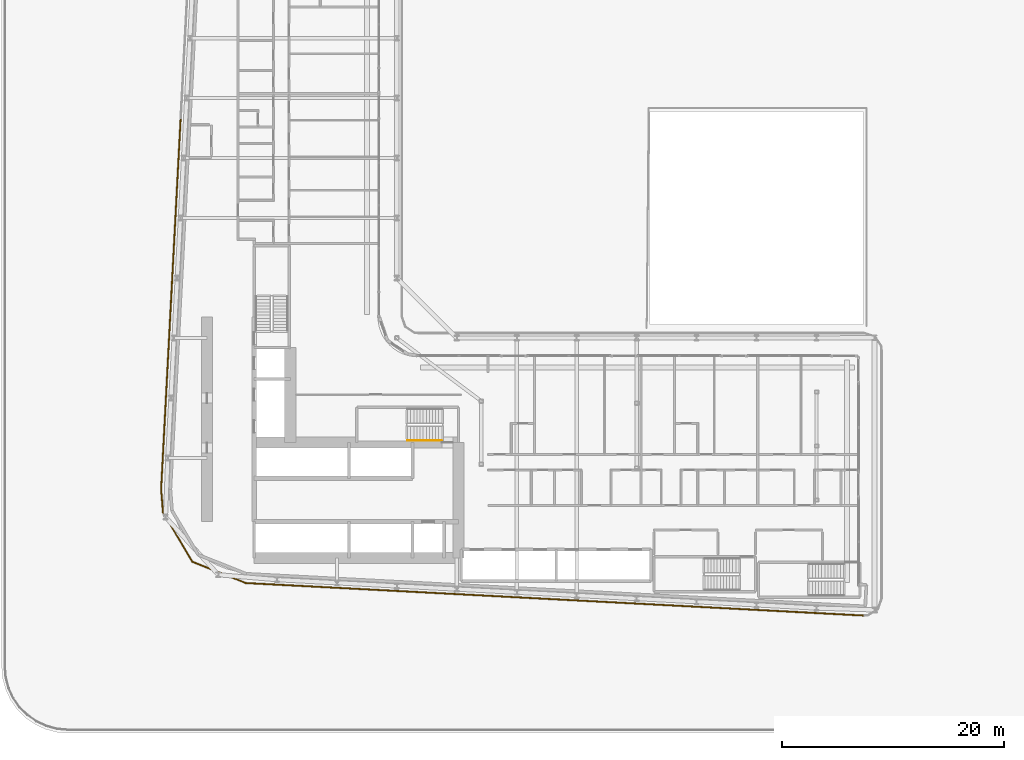
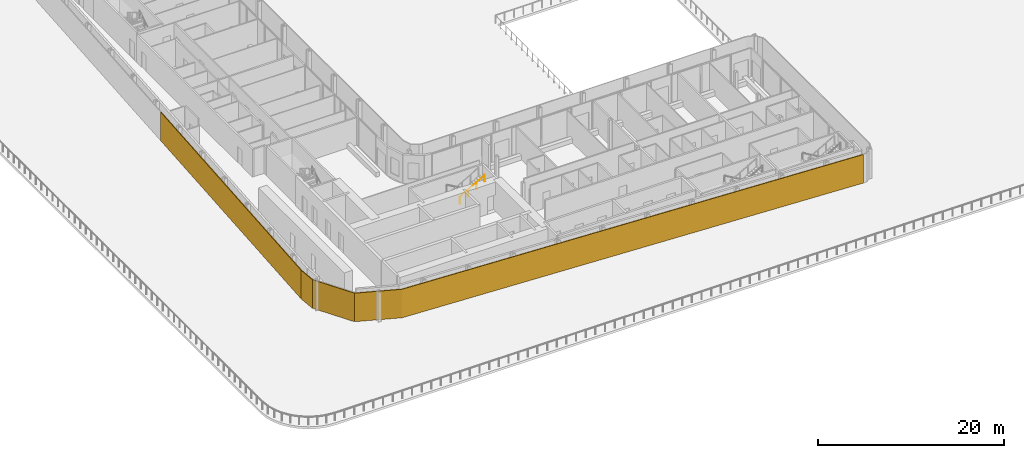
# One storey, part 20 of 27: 2 shading devices, 1 railing.
"""IFC4 building model written with IfcOpenShell, lengths in metres."""

from ifc_helpers import new_model, si_unit, direction, frame, origin, origin_2d, place, context, subcontext, project, spatial, polyline, rectangle, circle, outline, extrude, material, layer, layer_set, type_object, element, save


model = new_model("IFC4")

# Units and contexts
model_context = context("Model", 3, precision=1e-05, world=origin(), true_north=direction((0.0, 1.0)))
body_context = subcontext(model_context, "Body", "Model", "MODEL_VIEW")
ifc_project = project(units=[si_unit("LENGTHUNIT", "METRE"), si_unit("AREAUNIT", "SQUARE_METRE"), si_unit("VOLUMEUNIT", "CUBIC_METRE"), si_unit("PLANEANGLEUNIT", "RADIAN"), si_unit("MASSUNIT", "GRAM", prefix="KILO")], contexts=[model_context])

# Site, building, storey
site_placement = place(None, origin())
site = spatial("IfcSite", under=ifc_project, at=site_placement, CompositionType="ELEMENT")
building_placement = place(site_placement, origin())
building = spatial("IfcBuilding", under=site, at=building_placement, Name="Kheshtan School and Residences Tower", CompositionType="ELEMENT")
storey_placement = place(building_placement, frame((0.0, 0.0, 30.5)))
storey = spatial("IfcBuildingStorey", under=building, at=storey_placement, Name="L06", CompositionType="ELEMENT", Elevation=30.5)

# Shading devices
ifc_material_1 = material(Name="Terracotta baguette, extruded ceramic", Category="masonry")
ifc_layer = layer(ifc_material_1, 0.10009765625)
ifc_layer_set = layer_set([ifc_layer], Name="Ledge screen, terracotta baguettes")
shading_device_type = type_object("IfcShadingDeviceType", Name="Ledge screen, terracotta baguettes", PredefinedType="USERDEFINED", material=ifc_layer_set)
shading_device_1_placement = place(storey_placement, origin())
element("IfcShadingDevice", 1, at=shading_device_1_placement, inside=storey, type_object=shading_device_type, Name="Screen L06 3", ObjectType="BAGUETTE", PredefinedType="USERDEFINED", context=body_context, shape_type="SweptSolid", body=[
    extrude(outline(polyline([(89.62109375, 20.652099609375), (33.989013671875, 23.580078125), (29.2119140625, 25.486083984375), (26.583984375, 29.906982421875), (26.419921875, 31.989013671875), (26.320068359375, 31.98095703125), (26.486083984375, 29.8759765625), (29.14306640625, 25.406005859375), (33.967041015625, 23.48095703125), (89.615966796875, 20.552001953125), (89.62109375, 20.652099609375)])), origin(), (0.0, 0.0, 1.0), 3.75),
])
shading_device_2_placement = place(storey_placement, frame((27.24609375, 48.638916015625, 0.0), z_axis=(0.0, 0.0, 1.0), x_axis=(0.052562536748, 0.998617634398, 0.0)))
element("IfcShadingDevice", 2, at=shading_device_2_placement, inside=storey, type_object=shading_device_type, Name="Screen L06 4", ObjectType="BAGUETTE", PredefinedType="USERDEFINED", context=body_context, shape_type="SweptSolid", body=[
    extrude(rectangle(XDim=33.341064453125, YDim=0.10009765625, at=origin_2d()), origin(), (0.0, 0.0, 1.0), 3.75),
])

# Railing
ifc_material_2 = material(Name="Stainless steel handrail", Category="steel")
railing_type = type_object("IfcRailingType", Name="Stair handrail 900", PredefinedType="HANDRAIL", material=ifc_material_2)
railing_placement = place(storey_placement, frame((48.570068359375, 36.35009765625, 2.112548828125)))
element("IfcRailing", 3, at=railing_placement, inside=storey, type_object=railing_type, Name="L06 ST1 stair handrail 2", PredefinedType="HANDRAIL", context=body_context, shape_type="SweptSolid", body=[
    extrude(circle(Radius=0.02392578125, at=origin_2d()), frame((0.0, 0.0, 0.8759765625), z_axis=(0.864903211148, 0.0, 0.501938676878), x_axis=(0.0, 1.0, 0.0)), (0.0, 0.0, 1.0), 3.560791015625),
    extrude(circle(Radius=0.02099609375, at=origin_2d()), origin(), (0.0, 0.0, 1.0), 0.851806640625),
    extrude(circle(Radius=0.02099609375, at=origin_2d()), frame((1.026611328125, 0.0, 0.595703125)), (0.0, 0.0, 1.0), 0.851806640625),
    extrude(circle(Radius=0.02099609375, at=origin_2d()), frame((2.05322265625, 0.0, 1.191650390625)), (0.0, 0.0, 1.0), 0.851806640625),
    extrude(circle(Radius=0.02099609375, at=origin_2d()), frame((3.079833984375, 0.0, 1.787353515625)), (0.0, 0.0, 1.0), 0.851806640625),
])

save(model, "model.ifc")
